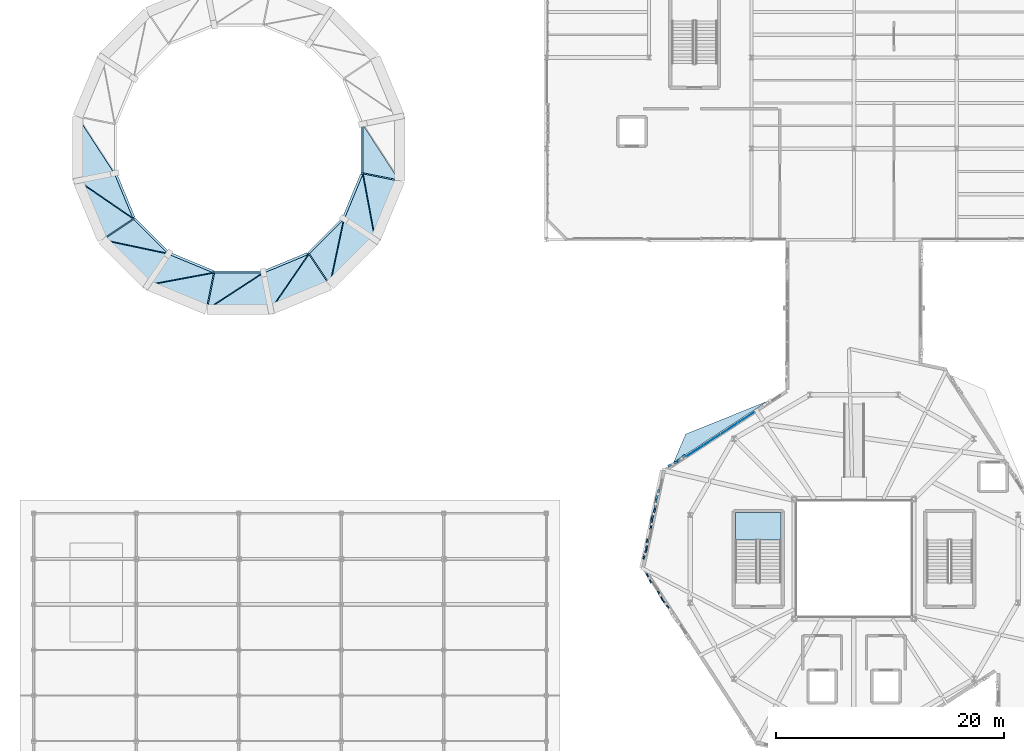
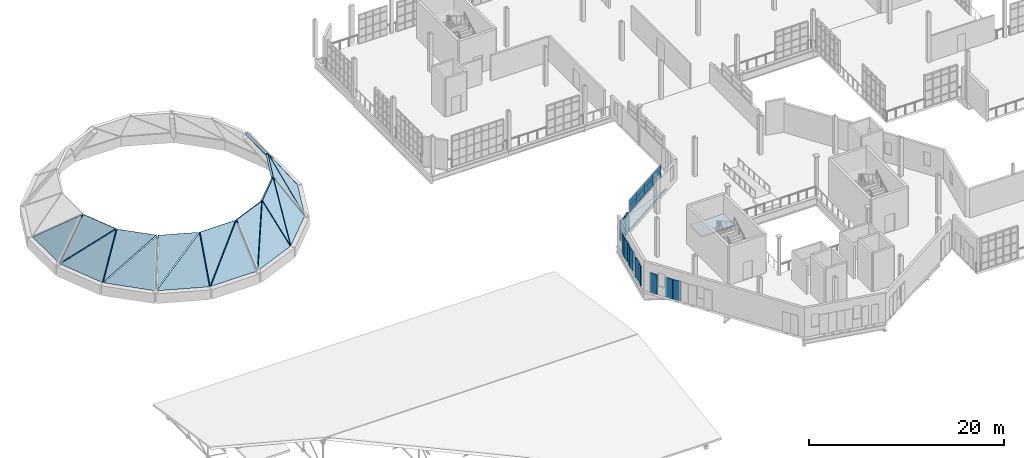
# One storey, part 87 of 118: 19 plates, 18 slabs, 2 elements without a shape of their own.
"""IFC4 building model written with IfcOpenShell, lengths in metres."""

from ifc_helpers import new_model, si_unit, direction, frame, frame_2d, origin, origin_2d, place, context, subcontext, project, spatial, polyline, rectangle, outline, extrude, material, layer, layer_set, type_object, element, aggregate, save


model = new_model("IFC4")

# Units and contexts
model_context = context("Model", 3, precision=1e-05, world=origin(), true_north=direction((0.0, 1.0)))
body_context = subcontext(model_context, "Body", "Model", "MODEL_VIEW")
ifc_project = project(units=[si_unit("LENGTHUNIT", "METRE"), si_unit("AREAUNIT", "SQUARE_METRE"), si_unit("VOLUMEUNIT", "CUBIC_METRE"), si_unit("PLANEANGLEUNIT", "RADIAN"), si_unit("MASSUNIT", "GRAM", prefix="KILO"), si_unit("THERMODYNAMICTEMPERATUREUNIT", "KELVIN"), si_unit("POWERUNIT", "WATT")], contexts=[model_context])

# Site, building, storey
site_placement = place(None, origin())
site = spatial("IfcSite", under=ifc_project, at=site_placement, CompositionType="ELEMENT")
building_placement = place(site_placement, origin())
building = spatial("IfcBuilding", under=site, at=building_placement, Name="Zelmaris Science Centre", CompositionType="ELEMENT")
storey_placement = place(building_placement, frame((0.0, 0.0, 15.60009765625)))
storey = spatial("IfcBuildingStorey", under=building, at=storey_placement, Name="L03", CompositionType="ELEMENT", Elevation=15.60009765625)

# Curtain wall, plates
ifc_material_1 = material(Name="Anodised architectural aluminium 6063-T6", Category="aluminium")
ifc_layer_1 = layer(ifc_material_1, 0.219970703125, Name="Anodised architectural aluminium 6063-T6")
ifc_layer_set_1 = layer_set([ifc_layer_1], Name="Anodised architectural aluminium 6063-T6")
curtain_wall_type = type_object("IfcCurtainWallType", Name="Curtain Wall CW-04", PredefinedType="USERDEFINED", material=ifc_layer_set_1)
curtain_wall_placement = place(storey_placement, origin())
curtain_wall = element("IfcCurtainWall", 1, at=curtain_wall_placement, inside=storey, type_object=curtain_wall_type, Name="L03 Clerestory curtain wall 316", ObjectType="GLAZED CURTAIN WALL", PredefinedType="USERDEFINED")
ifc_material_2 = material(Name="Laminated hurricane-rated low-E insulated glazing", Category="glass")
ifc_layer_2 = layer(ifc_material_2, 0.02392578125, Name="Laminated hurricane-rated low-E insulated glazing")
ifc_layer_set_2 = layer_set([ifc_layer_2], Name="Laminated hurricane-rated low-E insulated glazing")
plate_type_1 = type_object("IfcPlateType", Name="Curtain Glazing Panel CWP-4 24mm", PredefinedType="CURTAIN_PANEL", material=ifc_layer_set_2)
plate_1_placement = place(storey_placement, frame((67.0224609375, 45.46142578125, 2.471923828125), z_axis=(0.0, 0.0, 1.0), x_axis=(0.838228369029, 0.545319357217, 0.0)))
plate_1 = element("IfcPlate", 2, at=plate_1_placement, type_object=plate_type_1, Name="CW-04 panel 1.1", PredefinedType="CURTAIN_PANEL", context=body_context, shape_type="SweptSolid", body=[
    extrude(rectangle(XDim=1.721923828125, YDim=0.02392578125, at=origin_2d()), origin(), (0.0, 0.0, 1.0), 0.72705078125),
])
plate_2_placement = place(storey_placement, frame((67.0224609375, 45.46142578125, 3.2509765625), z_axis=(0.0, 0.0, 1.0), x_axis=(0.838228369029, 0.545319357217, 0.0)))
plate_2 = element("IfcPlate", 3, at=plate_2_placement, type_object=plate_type_1, Name="CW-04 panel 1.2", PredefinedType="CURTAIN_PANEL", context=body_context, shape_type="SweptSolid", body=[
    extrude(rectangle(XDim=1.721923828125, YDim=0.02392578125, at=origin_2d()), origin(), (0.0, 0.0, 1.0), 0.72705078125),
])
plate_3_placement = place(storey_placement, frame((68.5205078125, 46.43603515625, 2.471923828125), z_axis=(0.0, 0.0, 1.0), x_axis=(0.838228369029, 0.545319357217, 0.0)))
plate_3 = element("IfcPlate", 4, at=plate_3_placement, type_object=plate_type_1, Name="CW-04 panel 2.1", PredefinedType="CURTAIN_PANEL", context=body_context, shape_type="SweptSolid", body=[
    extrude(rectangle(XDim=1.748046875, YDim=0.02392578125, at=origin_2d()), origin(), (0.0, 0.0, 1.0), 0.72705078125),
])
plate_4_placement = place(storey_placement, frame((68.5205078125, 46.43603515625, 3.2509765625), z_axis=(0.0, 0.0, 1.0), x_axis=(0.838228369029, 0.545319357217, 0.0)))
plate_4 = element("IfcPlate", 5, at=plate_4_placement, type_object=plate_type_1, Name="CW-04 panel 2.2", PredefinedType="CURTAIN_PANEL", context=body_context, shape_type="SweptSolid", body=[
    extrude(rectangle(XDim=1.748046875, YDim=0.02392578125, at=origin_2d()), origin(), (0.0, 0.0, 1.0), 0.72705078125),
])
plate_5_placement = place(storey_placement, frame((70.029296875, 47.41748046875, 2.471923828125), z_axis=(0.0, 0.0, 1.0), x_axis=(0.838228369029, 0.545319357217, 0.0)))
plate_5 = element("IfcPlate", 6, at=plate_5_placement, type_object=plate_type_1, Name="CW-04 panel 3.1", PredefinedType="CURTAIN_PANEL", context=body_context, shape_type="SweptSolid", body=[
    extrude(rectangle(XDim=1.748046875, YDim=0.02392578125, at=origin_2d()), origin(), (0.0, 0.0, 1.0), 0.72705078125),
])
plate_6_placement = place(storey_placement, frame((70.029296875, 47.41748046875, 3.2509765625), z_axis=(0.0, 0.0, 1.0), x_axis=(0.838228369029, 0.545319357217, 0.0)))
plate_6 = element("IfcPlate", 7, at=plate_6_placement, type_object=plate_type_1, Name="CW-04 panel 3.2", PredefinedType="CURTAIN_PANEL", context=body_context, shape_type="SweptSolid", body=[
    extrude(rectangle(XDim=1.748046875, YDim=0.02392578125, at=origin_2d()), origin(), (0.0, 0.0, 1.0), 0.72705078125),
])
plate_7_placement = place(storey_placement, frame((71.527099609375, 48.39208984375, 2.471923828125), z_axis=(0.0, 0.0, 1.0), x_axis=(0.838228369029, 0.545319357217, 0.0)))
plate_7 = element("IfcPlate", 8, at=plate_7_placement, type_object=plate_type_1, Name="CW-04 panel 4.1", PredefinedType="CURTAIN_PANEL", context=body_context, shape_type="SweptSolid", body=[
    extrude(rectangle(XDim=1.721923828125, YDim=0.02392578125, at=origin_2d()), origin(), (0.0, 0.0, 1.0), 0.72705078125),
])
plate_8_placement = place(storey_placement, frame((71.527099609375, 48.39208984375, 3.2509765625), z_axis=(0.0, 0.0, 1.0), x_axis=(0.838228369029, 0.545319357217, 0.0)))
plate_8 = element("IfcPlate", 9, at=plate_8_placement, type_object=plate_type_1, Name="CW-04 panel 4.2", PredefinedType="CURTAIN_PANEL", context=body_context, shape_type="SweptSolid", body=[
    extrude(rectangle(XDim=1.721923828125, YDim=0.02392578125, at=origin_2d()), origin(), (0.0, 0.0, 1.0), 0.72705078125),
])
aggregate(curtain_wall, [plate_1, plate_2, plate_3, plate_4, plate_5, plate_6, plate_7, plate_8])

# Slabs
ifc_material_3 = material(Name="Concrete C40/50", Category="concrete")
ifc_layer_3 = layer(ifc_material_3, 0.25, Name="Concrete C40/50")
ifc_layer_set_3 = layer_set([ifc_layer_3], Name="Concrete C40/50")
slab_type_1 = type_object("IfcSlabType", Name="Dome Shell SL-DM250 250mm", PredefinedType="ROOF", material=ifc_layer_set_3)
slab_1_placement = place(storey_placement, frame((12.914794921875, 74.682373046875, 0.056396484375), z_axis=(-0.829112571853, 0.0, 0.559081696352), x_axis=(0.0, -1.0, 0.0)))
element("IfcSlab", 10, at=slab_1_placement, inside=storey, type_object=slab_type_1, Name="Dome shell facet B1-08A", PredefinedType="ROOF", context=body_context, shape_type="SweptSolid", body=[
    extrude(outline(polyline([(0.0, 0.0), (5.431884765625, 0.0), (4.809326171875, 5.596509902607257), (0.0, 0.0)])), origin(), (0.0, 0.0, -1.0), 0.25),
])
slab_2_placement = place(storey_placement, frame((12.96044921875, 69.087890625, 0.056396484375), z_axis=(-0.765998206437, -0.317280891734, 0.559088171468), x_axis=(0.382677302682, -0.923882071485, 0.0)))
element("IfcSlab", 11, at=slab_2_placement, inside=storey, type_object=slab_type_1, Name="Dome shell facet B1-09A", PredefinedType="ROOF", context=body_context, shape_type="SweptSolid", body=[
    extrude(outline(polyline([(0.0, 0.0), (5.431765267191298, -2.220446049250313e-16), (4.809305563737939, 5.596539375249899), (0.0, 0.0)])), origin(), (0.0, 0.0, -1.0), 0.25),
])
slab_3_placement = place(storey_placement, frame((12.987060546875, 69.160400390625, 0.1337890625), z_axis=(-0.76600591472, -0.317323753985, 0.55905328348), x_axis=(0.641159512704, -0.439862536194, 0.628836567418)))
element("IfcSlab", 12, at=slab_3_placement, inside=storey, type_object=slab_type_1, Name="Dome shell facet B1-09B", PredefinedType="ROOF", context=body_context, shape_type="SweptSolid", body=[
    extrude(outline(polyline([(0.0, 0.0), (7.330392950195216, -4.440892098500626e-16), (4.619612559571655, 3.1544442240136736), (0.0, 0.0)])), origin(), (0.0, 0.0, -1.0), 0.25),
])
slab_4_placement = place(storey_placement, frame((15.1435546875, 63.93701171875, 0.056396484375), z_axis=(-0.586276363319, -0.586239099201, 0.559109778471), x_axis=(0.707084308025, -0.707129253634, 0.0)))
element("IfcSlab", 13, at=slab_4_placement, inside=storey, type_object=slab_type_1, Name="Dome shell facet B1-10A", PredefinedType="ROOF", context=body_context, shape_type="SweptSolid", body=[
    extrude(outline(polyline([(0.0, 0.0), (5.4319128128103324, -2.220446049250313e-16), (4.809296994031531, 5.59663772919847), (0.0, 0.0)])), origin(), (0.0, 0.0, -1.0), 0.25),
])
slab_5_placement = place(storey_placement, frame((15.140380859375, 64.013916015625, 0.1337890625), z_axis=(-0.586274766795, -0.586274766795, 0.559074052017), x_axis=(0.76068492041, -0.161029404123, 0.628830647209)))
element("IfcSlab", 14, at=slab_5_placement, inside=storey, type_object=slab_type_1, Name="Dome shell facet B1-10B", PredefinedType="ROOF", context=body_context, shape_type="SweptSolid", body=[
    extrude(outline(polyline([(0.0, 0.0), (7.330461963145077, 4.440892098500626e-16), (4.61955071616049, 3.1546520122224067), (0.0, 0.0)])), origin(), (0.0, 0.0, -1.0), 0.25),
])
slab_6_placement = place(storey_placement, frame((19.131591796875, 60.01318359375, 0.056396484375), z_axis=(-0.3172505757, -0.766014986903, 0.559082383963), x_axis=(0.923897961855, -0.382638936963, 0.0)))
element("IfcSlab", 15, at=slab_6_placement, inside=storey, type_object=slab_type_1, Name="Dome shell facet B1-11A", PredefinedType="ROOF", context=body_context, shape_type="SweptSolid", body=[
    extrude(outline(polyline([(0.0, 0.0), (5.431671844798723, 0.0), (4.809385538317333, 5.596513032354619), (0.0, 0.0)])), origin(), (0.0, 0.0, -1.0), 0.25),
])
slab_7_placement = place(storey_placement, frame((19.099365234375, 60.08349609375, 0.1337890625), z_axis=(-0.317318532711, -0.765993310788, 0.559073516299), x_axis=(0.764396986738, 0.142314858801, 0.628843166163)))
element("IfcSlab", 16, at=slab_7_placement, inside=storey, type_object=slab_type_1, Name="Dome shell facet B1-11B", PredefinedType="ROOF", context=body_context, shape_type="SweptSolid", body=[
    extrude(outline(polyline([(0.0, 0.0), (7.330316028957588, 0.0), (4.619634560477401, 3.1545292303354144), (0.0, 0.0)])), origin(), (0.0, 0.0, -1.0), 0.25),
])
slab_8_placement = place(storey_placement, frame((24.317626953125, 57.914794921875, 0.056396484375), z_axis=(0.0, -0.829112571853, 0.559081696352), x_axis=(1.0, 0.0, 0.0)))
element("IfcSlab", 17, at=slab_8_placement, inside=storey, type_object=slab_type_1, Name="Dome shell facet B1-12A", PredefinedType="ROOF", context=body_context, shape_type="SweptSolid", body=[
    extrude(outline(polyline([(0.0, 0.0), (5.431884765625, 0.0), (4.809326171875, 5.596509902607257), (0.0, 0.0)])), origin(), (0.0, 0.0, -1.0), 0.25),
])
slab_9_placement = place(storey_placement, frame((24.260986328125, 57.967041015625, 0.1337890625), z_axis=(0.0, -0.829127040941, 0.55906023824), x_axis=(0.651751209226, 0.424009639974, 0.628837170085)))
element("IfcSlab", 18, at=slab_9_placement, inside=storey, type_object=slab_type_1, Name="Dome shell facet B1-12B", PredefinedType="ROOF", context=body_context, shape_type="SweptSolid", body=[
    extrude(outline(polyline([(0.0, 0.0), (7.330385924864089, -4.440892098500626e-16), (4.61963553414685, 3.15445843087826), (0.0, 0.0)])), origin(), (0.0, 0.0, -1.0), 0.25),
])
slab_10_placement = place(storey_placement, frame((29.912109375, 57.96044921875, 0.056396484375), z_axis=(0.317280891734, -0.765998206437, 0.559088171468), x_axis=(0.923882071485, 0.382677302682, 0.0)))
element("IfcSlab", 19, at=slab_10_placement, inside=storey, type_object=slab_type_1, Name="Dome shell facet B1-13A", PredefinedType="ROOF", context=body_context, shape_type="SweptSolid", body=[
    extrude(outline(polyline([(0.0, 0.0), (5.431765267191298, -2.220446049250313e-16), (4.809305563737939, 5.596539375249899), (0.0, 0.0)])), origin(), (0.0, 0.0, -1.0), 0.25),
])
slab_11_placement = place(storey_placement, frame((29.839599609375, 57.987060546875, 0.1337890625), z_axis=(0.317323753985, -0.76600591472, 0.55905328348), x_axis=(0.439862536194, 0.641159512704, 0.628836567418)))
element("IfcSlab", 20, at=slab_11_placement, inside=storey, type_object=slab_type_1, Name="Dome shell facet B1-13B", PredefinedType="ROOF", context=body_context, shape_type="SweptSolid", body=[
    extrude(outline(polyline([(0.0, 0.0), (7.330392950195216, -4.440892098500626e-16), (4.619612559571655, 3.1544442240136736), (0.0, 0.0)])), origin(), (0.0, 0.0, -1.0), 0.25),
])
slab_12_placement = place(storey_placement, frame((35.06298828125, 60.1435546875, 0.056396484375), z_axis=(0.586239099201, -0.586276363319, 0.559109778471), x_axis=(0.707129253634, 0.707084308025, 0.0)))
element("IfcSlab", 21, at=slab_12_placement, inside=storey, type_object=slab_type_1, Name="Dome shell facet B1-14A", PredefinedType="ROOF", context=body_context, shape_type="SweptSolid", body=[
    extrude(outline(polyline([(0.0, 0.0), (5.4319128128103324, -2.220446049250313e-16), (4.809296994031531, 5.59663772919847), (0.0, 0.0)])), origin(), (0.0, 0.0, -1.0), 0.25),
])
slab_13_placement = place(storey_placement, frame((34.986083984375, 60.140380859375, 0.1337890625), z_axis=(0.586274766795, -0.586274766795, 0.559074052017), x_axis=(0.161029404123, 0.76068492041, 0.628830647209)))
element("IfcSlab", 22, at=slab_13_placement, inside=storey, type_object=slab_type_1, Name="Dome shell facet B1-14B", PredefinedType="ROOF", context=body_context, shape_type="SweptSolid", body=[
    extrude(outline(polyline([(0.0, 0.0), (7.330461963145077, 4.440892098500626e-16), (4.61955071616049, 3.1546520122224067), (0.0, 0.0)])), origin(), (0.0, 0.0, -1.0), 0.25),
])
slab_14_placement = place(storey_placement, frame((38.98681640625, 64.131591796875, 0.056396484375), z_axis=(0.766014986903, -0.3172505757, 0.559082383963), x_axis=(0.382638936963, 0.923897961855, 0.0)))
element("IfcSlab", 23, at=slab_14_placement, inside=storey, type_object=slab_type_1, Name="Dome shell facet B1-15A", PredefinedType="ROOF", context=body_context, shape_type="SweptSolid", body=[
    extrude(outline(polyline([(0.0, 0.0), (5.431671844798723, 0.0), (4.809385538317333, 5.596513032354619), (0.0, 0.0)])), origin(), (0.0, 0.0, -1.0), 0.25),
])
slab_15_placement = place(storey_placement, frame((38.91650390625, 64.099365234375, 0.1337890625), z_axis=(0.765993310788, -0.317318532711, 0.559073516299), x_axis=(-0.142314858801, 0.764396986738, 0.628843166163)))
element("IfcSlab", 24, at=slab_15_placement, inside=storey, type_object=slab_type_1, Name="Dome shell facet B1-15B", PredefinedType="ROOF", context=body_context, shape_type="SweptSolid", body=[
    extrude(outline(polyline([(0.0, 0.0), (7.330316028957588, 0.0), (4.619634560477401, 3.1545292303354144), (0.0, 0.0)])), origin(), (0.0, 0.0, -1.0), 0.25),
])
slab_16_placement = place(storey_placement, frame((41.032958984375, 69.260986328125, 0.1337890625), z_axis=(0.829127040941, 0.0, 0.55906023824), x_axis=(-0.424009639974, 0.651751209226, 0.628837170085)))
element("IfcSlab", 25, at=slab_16_placement, inside=storey, type_object=slab_type_1, Name="Dome shell facet B1-16B", PredefinedType="ROOF", context=body_context, shape_type="SweptSolid", body=[
    extrude(outline(polyline([(0.0, 0.0), (7.330385924864089, -4.440892098500626e-16), (4.61963553414685, 3.15445843087826), (0.0, 0.0)])), origin(), (0.0, 0.0, -1.0), 0.25),
])

# Plates
ifc_material_4 = material(Name="Precast concrete C40/50", Category="concrete")
ifc_layer_4 = layer(ifc_material_4, 0.110107421875, Name="Precast concrete C40/50")
ifc_layer_set_4 = layer_set([ifc_layer_4], Name="Precast concrete C40/50")
plate_type_2 = type_object("IfcPlateType", Name="Precast Facet Panel FP-01 110mm", PredefinedType="SHEET", material=ifc_layer_set_4)
plate_9_placement = place(storey_placement, frame((64.747314453125, 31.681640625, 0.02001953125), z_axis=(0.0, 0.0, 1.0), x_axis=(-0.62660190752, 0.779339495658, 0.0)))
element("IfcPlate", 26, at=plate_9_placement, inside=storey, type_object=plate_type_2, Name="L03 Folded precast facet panel 132", PredefinedType="SHEET", context=body_context, shape_type="SweptSolid", body=[
    extrude(rectangle(XDim=0.90478515625, YDim=0.110107421875, at=frame_2d((0.452392578125, 0.0))), origin(), (0.0, 0.0, 1.0), 2.4599609375),
])
ifc_layer_5 = layer(ifc_material_4, 0.1201171875, Name="Precast concrete C40/50")
ifc_layer_set_5 = layer_set([ifc_layer_5], Name="Precast concrete C40/50")
plate_type_3 = type_object("IfcPlateType", Name="Precast Facet Panel FP-02 120mm", PredefinedType="SHEET", material=ifc_layer_set_5)
plate_10_placement = place(storey_placement, frame((64.180419921875, 32.38671875, 0.02001953125), z_axis=(0.0, 0.0, 1.0), x_axis=(-0.456902805347, 0.889516625177, 0.0)))
element("IfcPlate", 27, at=plate_10_placement, inside=storey, type_object=plate_type_3, Name="L03 Folded precast facet panel 133", PredefinedType="SHEET", context=body_context, shape_type="SweptSolid", body=[
    extrude(rectangle(XDim=0.904541015625, YDim=0.1201171875, at=frame_2d((0.4521484375, 0.0))), origin(), (0.0, 0.0, 1.0), 2.4599609375),
])
ifc_layer_6 = layer(ifc_material_4, 0.1298828125, Name="Precast concrete C40/50")
ifc_layer_set_6 = layer_set([ifc_layer_6], Name="Precast concrete C40/50")
plate_type_4 = type_object("IfcPlateType", Name="Precast Facet Panel FP-03 130mm", PredefinedType="SHEET", material=ifc_layer_set_6)
plate_11_placement = place(storey_placement, frame((63.2001953125, 33.896240234375, 0.02001953125), z_axis=(0.0, 0.0, 1.0), x_axis=(-0.45711630377, 0.889406928705, 0.0)))
element("IfcPlate", 28, at=plate_11_placement, inside=storey, type_object=plate_type_4, Name="L03 Folded precast facet panel 134", PredefinedType="SHEET", context=body_context, shape_type="SweptSolid", body=[
    extrude(rectangle(XDim=0.90478515625, YDim=0.1298828125, at=frame_2d((0.452392578125, 0.0))), origin(), (0.0, 0.0, 1.0), 2.4599609375),
])
ifc_layer_7 = layer(ifc_material_4, 0.139892578125, Name="Precast concrete C40/50")
ifc_layer_set_7 = layer_set([ifc_layer_7], Name="Precast concrete C40/50")
plate_type_5 = type_object("IfcPlateType", Name="Precast Facet Panel FP-04 140mm", PredefinedType="SHEET", material=ifc_layer_set_7)
plate_12_placement = place(storey_placement, frame((62.506591796875, 35.9775390625, 0.02001953125), z_axis=(0.0, 0.0, 1.0), x_axis=(0.305764569889, 0.952107151428, 0.0)))
element("IfcPlate", 29, at=plate_12_placement, inside=storey, type_object=plate_type_5, Name="L03 Folded precast facet panel 135", PredefinedType="SHEET", context=body_context, shape_type="SweptSolid", body=[
    extrude(rectangle(XDim=0.904541015625, YDim=0.139892578125, at=frame_2d((0.4521484375, 0.0))), origin(), (0.0, 0.0, 1.0), 2.4599609375),
])
ifc_layer_8 = layer(ifc_material_4, 0.14990234375, Name="Precast concrete C40/50")
ifc_layer_set_8 = layer_set([ifc_layer_8], Name="Precast concrete C40/50")
plate_type_6 = type_object("IfcPlateType", Name="Precast Facet Panel FP-05 150mm", PredefinedType="SHEET", material=ifc_layer_set_8)
plate_13_placement = place(storey_placement, frame((62.783203125, 36.8388671875, 0.02001953125), z_axis=(0.0, 0.0, 1.0), x_axis=(0.107943220478, 0.994157060606, 0.0)))
element("IfcPlate", 30, at=plate_13_placement, inside=storey, type_object=plate_type_6, Name="L03 Folded precast facet panel 136", PredefinedType="SHEET", context=body_context, shape_type="SweptSolid", body=[
    extrude(rectangle(XDim=0.90478515625, YDim=0.14990234375, at=frame_2d((0.452392578125, 0.0))), origin(), (0.0, 0.0, 1.0), 2.4599609375),
])
ifc_layer_9 = layer(ifc_material_4, 0.159912109375, Name="Precast concrete C40/50")
ifc_layer_set_9 = layer_set([ifc_layer_9], Name="Precast concrete C40/50")
plate_type_7 = type_object("IfcPlateType", Name="Precast Facet Panel FP-06 160mm", PredefinedType="SHEET", material=ifc_layer_set_9)
plate_14_placement = place(storey_placement, frame((63.157470703125, 38.599609375, 0.02001953125), z_axis=(0.0, 0.0, 1.0), x_axis=(0.107705392075, 0.994182854669, 0.0)))
element("IfcPlate", 31, at=plate_14_placement, inside=storey, type_object=plate_type_7, Name="L03 Folded precast facet panel 137", PredefinedType="SHEET", context=body_context, shape_type="SweptSolid", body=[
    extrude(rectangle(XDim=0.904541015625, YDim=0.159912109375, at=frame_2d((0.4521484375, 0.0))), origin(), (0.0, 0.0, 1.0), 2.4599609375),
])
ifc_layer_10 = layer(ifc_material_4, 0.169921875, Name="Precast concrete C40/50")
ifc_layer_set_10 = layer_set([ifc_layer_10], Name="Precast concrete C40/50")
plate_type_8 = type_object("IfcPlateType", Name="Precast Facet Panel FP-07 170mm", PredefinedType="SHEET", material=ifc_layer_set_10)
plate_15_placement = place(storey_placement, frame((63.2548828125, 39.498779296875, 0.02001953125), z_axis=(0.0, 0.0, 1.0), x_axis=(0.306009180413, 0.952028561285, 0.0)))
element("IfcPlate", 32, at=plate_15_placement, inside=storey, type_object=plate_type_8, Name="L03 Folded precast facet panel 138", PredefinedType="SHEET", context=body_context, shape_type="SweptSolid", body=[
    extrude(rectangle(XDim=0.90478515625, YDim=0.169921875, at=frame_2d((0.452392578125, 0.0))), origin(), (0.0, 0.0, 1.0), 2.4599609375),
])
ifc_layer_11 = layer(ifc_material_4, 0.179931640625, Name="Precast concrete C40/50")
ifc_layer_set_11 = layer_set([ifc_layer_11], Name="Precast concrete C40/50")
plate_type_9 = type_object("IfcPlateType", Name="Precast Facet Panel FP-08 180mm", PredefinedType="SHEET", material=ifc_layer_set_11)
plate_16_placement = place(storey_placement, frame((63.53173828125, 40.360107421875, 0.02001953125), z_axis=(0.0, 0.0, 1.0), x_axis=(0.107676495098, 0.994185984815, 0.0)))
element("IfcPlate", 33, at=plate_16_placement, inside=storey, type_object=plate_type_9, Name="L03 Folded precast facet panel 139", PredefinedType="SHEET", context=body_context, shape_type="SweptSolid", body=[
    extrude(rectangle(XDim=0.90478515625, YDim=0.179931640625, at=frame_2d((0.452392578125, 0.0))), origin(), (0.0, 0.0, 1.0), 2.4599609375),
])
ifc_layer_12 = layer(ifc_material_4, 0.18994140625, Name="Precast concrete C40/50")
ifc_layer_set_12 = layer_set([ifc_layer_12], Name="Precast concrete C40/50")
plate_type_10 = type_object("IfcPlateType", Name="Precast Facet Panel FP-09 190mm", PredefinedType="SHEET", material=ifc_layer_set_12)
plate_17_placement = place(storey_placement, frame((63.629150390625, 41.259521484375, 0.02001953125), z_axis=(0.0, 0.0, 1.0), x_axis=(0.306009180413, 0.952028561285, 0.0)))
element("IfcPlate", 34, at=plate_17_placement, inside=storey, type_object=plate_type_10, Name="L03 Folded precast facet panel 140", PredefinedType="SHEET", context=body_context, shape_type="SweptSolid", body=[
    extrude(rectangle(XDim=0.90478515625, YDim=0.18994140625, at=frame_2d((0.452392578125, 0.0))), origin(), (0.0, 0.0, 1.0), 2.4599609375),
])
ifc_layer_13 = layer(ifc_material_4, 0.199951171875, Name="Precast concrete C40/50")
ifc_layer_set_13 = layer_set([ifc_layer_13], Name="Precast concrete C40/50")
plate_type_11 = type_object("IfcPlateType", Name="Precast Facet Panel FP-10 200mm", PredefinedType="SHEET", material=ifc_layer_set_13)
plate_18_placement = place(storey_placement, frame((64.677734375, 44.11669921875, 0.02001953125), z_axis=(0.0, 0.0, 1.0), x_axis=(0.889130966184, 0.457652843292, 0.0)))
element("IfcPlate", 35, at=plate_18_placement, inside=storey, type_object=plate_type_11, Name="L03 Folded precast facet panel 141", PredefinedType="SHEET", context=body_context, shape_type="SweptSolid", body=[
    extrude(rectangle(XDim=0.90478515625, YDim=0.199951171875, at=frame_2d((0.452392578125, 0.0))), origin(), (0.0, 0.0, 1.0), 2.4599609375),
])
ifc_layer_14 = layer(ifc_material_4, 0.2099609375, Name="Precast concrete C40/50")
ifc_layer_set_14 = layer_set([ifc_layer_14], Name="Precast concrete C40/50")
plate_type_12 = type_object("IfcPlateType", Name="Precast Facet Panel FP-11 210mm", PredefinedType="SHEET", material=ifc_layer_set_14)
plate_19_placement = place(storey_placement, frame((65.482177734375, 44.53076171875, 0.02001953125), z_axis=(0.0, 0.0, 1.0), x_axis=(0.778625705691, 0.627488653633, 0.0)))
element("IfcPlate", 36, at=plate_19_placement, inside=storey, type_object=plate_type_12, Name="L03 Folded precast facet panel 142", PredefinedType="SHEET", context=body_context, shape_type="SweptSolid", body=[
    extrude(rectangle(XDim=0.904541015625, YDim=0.2099609375, at=frame_2d((0.4521484375, 0.0))), origin(), (0.0, 0.0, 1.0), 2.4599609375),
])

# Stair, slab
stair_type = type_object("IfcStairType", Name="Exit Stair ST-B W1900", PredefinedType="HALF_TURN_STAIR", material=ifc_material_3)
stair_placement = place(storey_placement, origin())
stair = element("IfcStair", 37, at=stair_placement, inside=storey, type_object=stair_type, Name="L03 Exit Stair Core ST-1", PredefinedType="HALF_TURN_STAIR")
ifc_material_5 = material(Name="Concrete C35/45", Category="concrete")
ifc_layer_15 = layer(ifc_material_5, 0.18994140625, Name="Concrete C35/45")
ifc_layer_set_15 = layer_set([ifc_layer_15], Name="Concrete C35/45")
slab_type_2 = type_object("IfcSlabType", Name="Slab SL-LD190 190mm", PredefinedType="LANDING", material=ifc_layer_set_15)
slab_17_placement = place(storey_placement, frame((0.0, 0.0, 2.2099609375)))
slab_17 = element("IfcSlab", 38, at=slab_17_placement, type_object=slab_type_2, Name="ST-1 landing 1", PredefinedType="LANDING", context=body_context, shape_type="SweptSolid", body=[
    extrude(outline(polyline([(74.60009765625, 37.669921875), (74.60009765625, 40.050048828125), (70.60009765625, 40.050048828125), (70.60009765625, 37.669921875), (74.60009765625, 37.669921875)])), origin(), (0.0, 0.0, 1.0), 0.18994140625),
])
aggregate(stair, [slab_17])

# Slab
ifc_layer_16 = layer(ifc_material_5, 0.219970703125, Name="Concrete C35/45")
ifc_layer_set_16 = layer_set([ifc_layer_16], Name="Concrete C35/45")
slab_type_3 = type_object("IfcSlabType", Name="Slab SL-RF220 220mm", PredefinedType="ROOF", material=ifc_layer_set_16)
slab_18_placement = place(storey_placement, frame((0.0, 0.0, -0.22021484375)))
element("IfcSlab", 39, at=slab_18_placement, inside=storey, type_object=slab_type_3, Name="L03 Exhibition setback cornice roof 2", PredefinedType="ROOF", context=body_context, shape_type="SweptSolid", body=[
    extrude(outline(polyline([(73.505859375, 49.88330078125), (65.170654296875, 44.470458984375), (66.218505859375, 46.939208984375), (73.505859375, 49.88330078125)])), origin(), (0.0, 0.0, 1.0), 0.22021484375),
])

save(model, "model.ifc")
